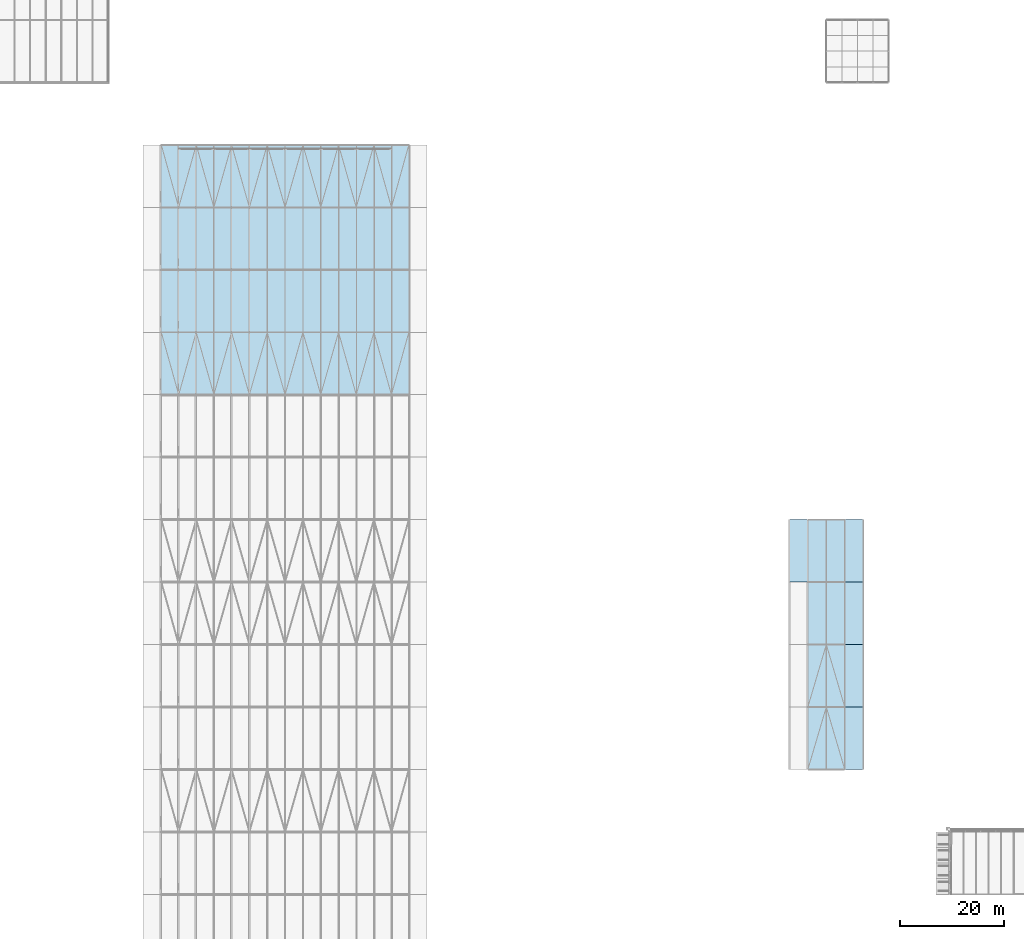
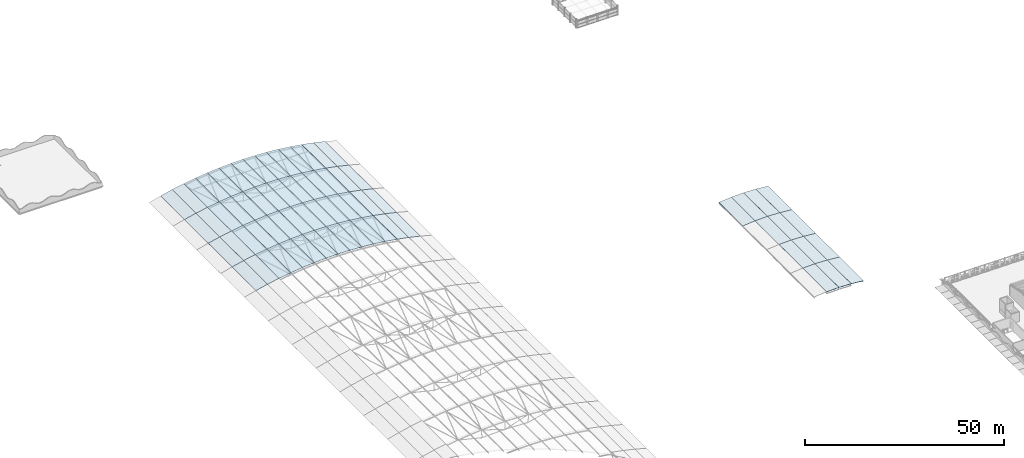
# One storey, part 52 of 91: 69 slabs.
"""IFC4 building model written with IfcOpenShell, lengths in metres."""

from ifc_helpers import new_model, si_unit, direction, frame, origin, place, context, subcontext, project, spatial, polyline, outline, extrude, material, layer, layer_set, type_object, element, save


model = new_model("IFC4")

# Units and contexts
model_context = context("Model", 3, precision=1e-05, world=origin(), true_north=direction((0.0, 1.0)))
body_context = subcontext(model_context, "Body", "Model", "MODEL_VIEW")
ifc_project = project(units=[si_unit("LENGTHUNIT", "METRE"), si_unit("AREAUNIT", "SQUARE_METRE"), si_unit("VOLUMEUNIT", "CUBIC_METRE"), si_unit("PLANEANGLEUNIT", "RADIAN"), si_unit("MASSUNIT", "GRAM", prefix="KILO")], contexts=[model_context])

# Site, building, storey
site_placement = place(None, origin())
site = spatial("IfcSite", under=ifc_project, at=site_placement, CompositionType="ELEMENT")
building_placement = place(site_placement, origin())
building = spatial("IfcBuilding", under=site, at=building_placement, Name="Ravi Spectrum Wholesale Market", CompositionType="ELEMENT")
storey_placement = place(building_placement, frame((0.0, 0.0, 16.199951171875)))
storey = spatial("IfcBuildingStorey", under=building, at=storey_placement, Name="ROOF PLANT LEVEL", CompositionType="ELEMENT", Elevation=16.199951171875)

# Slabs
ifc_material = material(Name="Steel S355", Category="steel")
ifc_layer = layer(ifc_material, 0.1201171875)
ifc_layer_set = layer_set([ifc_layer], Name="Steel S355")
slab_type = type_object("IfcSlabType", Name="Roof panel 120", PredefinedType="ROOF", material=ifc_layer_set)
slab_1_placement = place(storey_placement, frame((46.07958984375, 150.0, 0.691162109375), z_axis=(-0.222349705354, 0.0, 0.974966978174), x_axis=(0.974966978174, 0.0, 0.222349705354)))
element("IfcSlab", 1, at=slab_1_placement, inside=storey, type_object=slab_type, Name="H1-SL-ROOF-141", PredefinedType="ROOF", context=body_context, shape_type="SweptSolid", body=[
    extrude(outline(polyline([(0.0, 0.0), (3.4466311554413664, 0.0), (3.4466311554413664, 12.0), (0.0, 12.0), (0.0, 0.0)])), origin(), (0.0, 0.0, -1.0), 0.1201171875),
])
slab_2_placement = place(storey_placement, frame((49.44384765625, 150.0, 1.458251953125), z_axis=(-0.188631955583, 0.0, 0.982047852873), x_axis=(0.982047852873, 0.0, 0.188631955583)))
element("IfcSlab", 2, at=slab_2_placement, inside=storey, type_object=slab_type, Name="H1-SL-ROOF-142", PredefinedType="ROOF", context=body_context, shape_type="SweptSolid", body=[
    extrude(outline(polyline([(0.0, 0.0), (3.4466402172734556, 0.0), (3.4466402172734556, 12.0), (0.0, 12.0), (0.0, 0.0)])), origin(), (0.0, 0.0, -1.0), 0.1201171875),
])
slab_3_placement = place(storey_placement, frame((52.832763671875, 150.0, 2.109130859375), z_axis=(-0.154627524057, 0.0, 0.98797283809), x_axis=(0.98797283809, 0.0, 0.154627524057)))
element("IfcSlab", 3, at=slab_3_placement, inside=storey, type_object=slab_type, Name="H1-SL-ROOF-143", PredefinedType="ROOF", context=body_context, shape_type="SweptSolid", body=[
    extrude(outline(polyline([(0.0, 0.0), (3.4467277906978815, 0.0), (3.4467277906978815, 12.0), (0.0, 12.0), (0.0, 0.0)])), origin(), (0.0, 0.0, -1.0), 0.1201171875),
])
slab_4_placement = place(storey_placement, frame((56.241943359375, 150.0, 2.642578125), z_axis=(-0.120485786945, 0.0, 0.992715052341), x_axis=(0.992715052341, 0.0, 0.120485786945)))
element("IfcSlab", 4, at=slab_4_placement, inside=storey, type_object=slab_type, Name="H1-SL-ROOF-144", PredefinedType="ROOF", context=body_context, shape_type="SweptSolid", body=[
    extrude(outline(polyline([(0.0, 0.0), (3.446740181189331, 0.0), (3.446740181189331, 12.0), (0.0, 12.0), (0.0, 0.0)])), origin(), (0.0, 0.0, -1.0), 0.1201171875),
])
slab_5_placement = place(storey_placement, frame((59.667724609375, 150.0, 3.05810546875), z_axis=(-0.086134430501, 0.0, 0.996283523844), x_axis=(0.996283523844, 0.0, 0.086134430501)))
element("IfcSlab", 5, at=slab_5_placement, inside=storey, type_object=slab_type, Name="H1-SL-ROOF-145", PredefinedType="ROOF", context=body_context, shape_type="SweptSolid", body=[
    extrude(outline(polyline([(0.0, 0.0), (3.4466472730346154, 0.0), (3.4466472730346154, 12.000000000000004), (0.0, 12.000000000000004), (0.0, 0.0)])), origin(), (0.0, 0.0, -1.0), 0.1201171875),
])
slab_6_placement = place(storey_placement, frame((63.105712890625, 150.0, 3.35546875), z_axis=(-0.051711116626, 0.0, 0.998662085201), x_axis=(0.998662085201, 0.0, 0.051711116626)))
element("IfcSlab", 6, at=slab_6_placement, inside=storey, type_object=slab_type, Name="H1-SL-ROOF-146", PredefinedType="ROOF", context=body_context, shape_type="SweptSolid", body=[
    extrude(outline(polyline([(0.0, 0.0), (3.446505662181547, 0.0), (3.446505662181547, 12.0), (0.0, 12.0), (0.0, 0.0)])), origin(), (0.0, 0.0, -1.0), 0.1201171875),
])
for number, where, z_axis, x_axis, name in (
    (7, (66.5517578125, 150.0, 3.53369140625), (-0.017282768249, 0.0, 0.999850641807), (0.999850641807, 0.0, 0.017282768249), "H1-SL-ROOF-147"),
    (8, (70.001953125, 150.0, 3.59326171875), (0.017282768249, 0.0, 0.999850641807), (0.999850641807, 0.0, -0.017282768249), "H1-SL-ROOF-148"),
):
    element("IfcSlab", number, at=place(storey_placement, frame(where, z_axis=z_axis, x_axis=x_axis)), inside=storey, type_object=slab_type, Name=name, PredefinedType="ROOF", context=body_context, shape_type="SweptSolid", body=[
        extrude(outline(polyline([(0.0, 0.0), (3.446803870898151, 0.0), (3.446803870898151, 12.0), (0.0, 12.0), (0.0, 0.0)])), origin(), (0.0, 0.0, -1.0), 0.1201171875),
    ])
slab_7_placement = place(storey_placement, frame((73.452392578125, 150.0, 3.53369140625), z_axis=(0.051711116626, 0.0, 0.998662085201), x_axis=(0.998662085201, 0.0, -0.051711116626)))
element("IfcSlab", 9, at=slab_7_placement, inside=storey, type_object=slab_type, Name="H1-SL-ROOF-149", PredefinedType="ROOF", context=body_context, shape_type="SweptSolid", body=[
    extrude(outline(polyline([(0.0, 0.0), (3.446505662181547, 0.0), (3.446505662181547, 12.0), (0.0, 12.0), (0.0, 0.0)])), origin(), (0.0, 0.0, -1.0), 0.1201171875),
])
slab_8_placement = place(storey_placement, frame((76.8984375, 150.0, 3.35498046875), z_axis=(0.086134430501, 0.0, 0.996283523844), x_axis=(0.996283523844, 0.0, -0.086134430501)))
element("IfcSlab", 10, at=slab_8_placement, inside=storey, type_object=slab_type, Name="H1-SL-ROOF-150", PredefinedType="ROOF", context=body_context, shape_type="SweptSolid", body=[
    extrude(outline(polyline([(0.0, 0.0), (3.4466472730346154, 0.0), (3.4466472730346154, 12.000000000000004), (0.0, 12.000000000000004), (0.0, 0.0)])), origin(), (0.0, 0.0, -1.0), 0.1201171875),
])
slab_9_placement = place(storey_placement, frame((80.33642578125, 150.0, 3.057861328125), z_axis=(0.120485786945, 0.0, 0.992715052341), x_axis=(0.992715052341, 0.0, -0.120485786945)))
element("IfcSlab", 11, at=slab_9_placement, inside=storey, type_object=slab_type, Name="H1-SL-ROOF-151", PredefinedType="ROOF", context=body_context, shape_type="SweptSolid", body=[
    extrude(outline(polyline([(0.0, 0.0), (3.446740181189331, 0.0), (3.446740181189331, 12.0), (0.0, 12.0), (0.0, 0.0)])), origin(), (0.0, 0.0, -1.0), 0.1201171875),
])
slab_10_placement = place(storey_placement, frame((83.761962890625, 150.0, 2.64208984375), z_axis=(0.154627524057, 0.0, 0.98797283809), x_axis=(0.98797283809, 0.0, -0.154627524057)))
element("IfcSlab", 12, at=slab_10_placement, inside=storey, type_object=slab_type, Name="H1-SL-ROOF-152", PredefinedType="ROOF", context=body_context, shape_type="SweptSolid", body=[
    extrude(outline(polyline([(0.0, 0.0), (3.4467277906978815, 0.0), (3.4467277906978815, 12.0), (0.0, 12.0), (0.0, 0.0)])), origin(), (0.0, 0.0, -1.0), 0.1201171875),
])
slab_11_placement = place(storey_placement, frame((87.17138671875, 150.0, 2.1083984375), z_axis=(0.188631955583, 0.0, 0.982047852873), x_axis=(0.982047852873, 0.0, -0.188631955583)))
element("IfcSlab", 13, at=slab_11_placement, inside=storey, type_object=slab_type, Name="H1-SL-ROOF-153", PredefinedType="ROOF", context=body_context, shape_type="SweptSolid", body=[
    extrude(outline(polyline([(0.0, 0.0), (3.4466402172734556, 0.0), (3.4466402172734556, 12.0), (0.0, 12.0), (0.0, 0.0)])), origin(), (0.0, 0.0, -1.0), 0.1201171875),
])
for number, where, z_axis, x_axis, name in (
    (14, (90.56005859375, 150.0, 1.45751953125), (0.222349705354, 0.0, 0.974966978174), (0.974966978174, 0.0, -0.222349705354), "H1-SL-ROOF-154"),
    (15, (46.07958984375, 162.0, 0.691162109375), (-0.222349705354, 0.0, 0.974966978174), (0.974966978174, 0.0, 0.222349705354), "H1-SL-ROOF-155"),
):
    element("IfcSlab", number, at=place(storey_placement, frame(where, z_axis=z_axis, x_axis=x_axis)), inside=storey, type_object=slab_type, Name=name, PredefinedType="ROOF", context=body_context, shape_type="SweptSolid", body=[
        extrude(outline(polyline([(0.0, 0.0), (3.4466311554413664, 0.0), (3.4466311554413664, 12.0), (0.0, 12.0), (0.0, 0.0)])), origin(), (0.0, 0.0, -1.0), 0.1201171875),
    ])
slab_12_placement = place(storey_placement, frame((49.44384765625, 162.0, 1.458251953125), z_axis=(-0.188631955583, 0.0, 0.982047852873), x_axis=(0.982047852873, 0.0, 0.188631955583)))
element("IfcSlab", 16, at=slab_12_placement, inside=storey, type_object=slab_type, Name="H1-SL-ROOF-156", PredefinedType="ROOF", context=body_context, shape_type="SweptSolid", body=[
    extrude(outline(polyline([(0.0, 0.0), (3.4466402172734556, 0.0), (3.4466402172734556, 12.0), (0.0, 12.0), (0.0, 0.0)])), origin(), (0.0, 0.0, -1.0), 0.1201171875),
])
slab_13_placement = place(storey_placement, frame((52.832763671875, 162.0, 2.109130859375), z_axis=(-0.154627524057, 0.0, 0.98797283809), x_axis=(0.98797283809, 0.0, 0.154627524057)))
element("IfcSlab", 17, at=slab_13_placement, inside=storey, type_object=slab_type, Name="H1-SL-ROOF-157", PredefinedType="ROOF", context=body_context, shape_type="SweptSolid", body=[
    extrude(outline(polyline([(0.0, 0.0), (3.4467277906978815, 0.0), (3.4467277906978815, 12.0), (0.0, 12.0), (0.0, 0.0)])), origin(), (0.0, 0.0, -1.0), 0.1201171875),
])
slab_14_placement = place(storey_placement, frame((56.241943359375, 162.0, 2.642578125), z_axis=(-0.120485786945, 0.0, 0.992715052341), x_axis=(0.992715052341, 0.0, 0.120485786945)))
element("IfcSlab", 18, at=slab_14_placement, inside=storey, type_object=slab_type, Name="H1-SL-ROOF-158", PredefinedType="ROOF", context=body_context, shape_type="SweptSolid", body=[
    extrude(outline(polyline([(0.0, 0.0), (3.446740181189331, 0.0), (3.446740181189331, 12.0), (0.0, 12.0), (0.0, 0.0)])), origin(), (0.0, 0.0, -1.0), 0.1201171875),
])
slab_15_placement = place(storey_placement, frame((59.667724609375, 162.0, 3.05810546875), z_axis=(-0.086134430501, 0.0, 0.996283523844), x_axis=(0.996283523844, 0.0, 0.086134430501)))
element("IfcSlab", 19, at=slab_15_placement, inside=storey, type_object=slab_type, Name="H1-SL-ROOF-159", PredefinedType="ROOF", context=body_context, shape_type="SweptSolid", body=[
    extrude(outline(polyline([(0.0, 0.0), (3.4466472730346154, 0.0), (3.4466472730346154, 12.000000000000004), (0.0, 12.000000000000004), (0.0, 0.0)])), origin(), (0.0, 0.0, -1.0), 0.1201171875),
])
slab_16_placement = place(storey_placement, frame((63.105712890625, 162.0, 3.35546875), z_axis=(-0.051711116626, 0.0, 0.998662085201), x_axis=(0.998662085201, 0.0, 0.051711116626)))
element("IfcSlab", 20, at=slab_16_placement, inside=storey, type_object=slab_type, Name="H1-SL-ROOF-160", PredefinedType="ROOF", context=body_context, shape_type="SweptSolid", body=[
    extrude(outline(polyline([(0.0, 0.0), (3.446505662181547, 0.0), (3.446505662181547, 12.0), (0.0, 12.0), (0.0, 0.0)])), origin(), (0.0, 0.0, -1.0), 0.1201171875),
])
for number, where, z_axis, x_axis, name in (
    (21, (66.5517578125, 162.0, 3.53369140625), (-0.017282768249, 0.0, 0.999850641807), (0.999850641807, 0.0, 0.017282768249), "H1-SL-ROOF-161"),
    (22, (70.001953125, 162.0, 3.59326171875), (0.017282768249, 0.0, 0.999850641807), (0.999850641807, 0.0, -0.017282768249), "H1-SL-ROOF-162"),
):
    element("IfcSlab", number, at=place(storey_placement, frame(where, z_axis=z_axis, x_axis=x_axis)), inside=storey, type_object=slab_type, Name=name, PredefinedType="ROOF", context=body_context, shape_type="SweptSolid", body=[
        extrude(outline(polyline([(0.0, 0.0), (3.446803870898151, 0.0), (3.446803870898151, 12.0), (0.0, 12.0), (0.0, 0.0)])), origin(), (0.0, 0.0, -1.0), 0.1201171875),
    ])
slab_17_placement = place(storey_placement, frame((73.452392578125, 162.0, 3.53369140625), z_axis=(0.051711116626, 0.0, 0.998662085201), x_axis=(0.998662085201, 0.0, -0.051711116626)))
element("IfcSlab", 23, at=slab_17_placement, inside=storey, type_object=slab_type, Name="H1-SL-ROOF-163", PredefinedType="ROOF", context=body_context, shape_type="SweptSolid", body=[
    extrude(outline(polyline([(0.0, 0.0), (3.446505662181547, 0.0), (3.446505662181547, 12.0), (0.0, 12.0), (0.0, 0.0)])), origin(), (0.0, 0.0, -1.0), 0.1201171875),
])
slab_18_placement = place(storey_placement, frame((76.8984375, 162.0, 3.35498046875), z_axis=(0.086134430501, 0.0, 0.996283523844), x_axis=(0.996283523844, 0.0, -0.086134430501)))
element("IfcSlab", 24, at=slab_18_placement, inside=storey, type_object=slab_type, Name="H1-SL-ROOF-164", PredefinedType="ROOF", context=body_context, shape_type="SweptSolid", body=[
    extrude(outline(polyline([(0.0, 0.0), (3.4466472730346154, 0.0), (3.4466472730346154, 12.000000000000004), (0.0, 12.000000000000004), (0.0, 0.0)])), origin(), (0.0, 0.0, -1.0), 0.1201171875),
])
slab_19_placement = place(storey_placement, frame((80.33642578125, 162.0, 3.057861328125), z_axis=(0.120485786945, 0.0, 0.992715052341), x_axis=(0.992715052341, 0.0, -0.120485786945)))
element("IfcSlab", 25, at=slab_19_placement, inside=storey, type_object=slab_type, Name="H1-SL-ROOF-165", PredefinedType="ROOF", context=body_context, shape_type="SweptSolid", body=[
    extrude(outline(polyline([(0.0, 0.0), (3.446740181189331, 0.0), (3.446740181189331, 12.0), (0.0, 12.0), (0.0, 0.0)])), origin(), (0.0, 0.0, -1.0), 0.1201171875),
])
slab_20_placement = place(storey_placement, frame((83.761962890625, 162.0, 2.64208984375), z_axis=(0.154627524057, 0.0, 0.98797283809), x_axis=(0.98797283809, 0.0, -0.154627524057)))
element("IfcSlab", 26, at=slab_20_placement, inside=storey, type_object=slab_type, Name="H1-SL-ROOF-166", PredefinedType="ROOF", context=body_context, shape_type="SweptSolid", body=[
    extrude(outline(polyline([(0.0, 0.0), (3.4467277906978815, 0.0), (3.4467277906978815, 12.0), (0.0, 12.0), (0.0, 0.0)])), origin(), (0.0, 0.0, -1.0), 0.1201171875),
])
slab_21_placement = place(storey_placement, frame((87.17138671875, 162.0, 2.1083984375), z_axis=(0.188631955583, 0.0, 0.982047852873), x_axis=(0.982047852873, 0.0, -0.188631955583)))
element("IfcSlab", 27, at=slab_21_placement, inside=storey, type_object=slab_type, Name="H1-SL-ROOF-167", PredefinedType="ROOF", context=body_context, shape_type="SweptSolid", body=[
    extrude(outline(polyline([(0.0, 0.0), (3.4466402172734556, 0.0), (3.4466402172734556, 12.0), (0.0, 12.0), (0.0, 0.0)])), origin(), (0.0, 0.0, -1.0), 0.1201171875),
])
for number, where, z_axis, x_axis, name in (
    (28, (90.56005859375, 162.0, 1.45751953125), (0.222349705354, 0.0, 0.974966978174), (0.974966978174, 0.0, -0.222349705354), "H1-SL-ROOF-168"),
    (29, (46.07958984375, 174.0, 0.691162109375), (-0.222349705354, 0.0, 0.974966978174), (0.974966978174, 0.0, 0.222349705354), "H1-SL-ROOF-169"),
):
    element("IfcSlab", number, at=place(storey_placement, frame(where, z_axis=z_axis, x_axis=x_axis)), inside=storey, type_object=slab_type, Name=name, PredefinedType="ROOF", context=body_context, shape_type="SweptSolid", body=[
        extrude(outline(polyline([(0.0, 0.0), (3.4466311554413664, 0.0), (3.4466311554413664, 12.0), (0.0, 12.0), (0.0, 0.0)])), origin(), (0.0, 0.0, -1.0), 0.1201171875),
    ])
slab_22_placement = place(storey_placement, frame((49.44384765625, 174.0, 1.458251953125), z_axis=(-0.188631955583, 0.0, 0.982047852873), x_axis=(0.982047852873, 0.0, 0.188631955583)))
element("IfcSlab", 30, at=slab_22_placement, inside=storey, type_object=slab_type, Name="H1-SL-ROOF-170", PredefinedType="ROOF", context=body_context, shape_type="SweptSolid", body=[
    extrude(outline(polyline([(0.0, 0.0), (3.4466402172734556, 0.0), (3.4466402172734556, 12.0), (0.0, 12.0), (0.0, 0.0)])), origin(), (0.0, 0.0, -1.0), 0.1201171875),
])
slab_23_placement = place(storey_placement, frame((52.832763671875, 174.0, 2.109130859375), z_axis=(-0.154627524057, 0.0, 0.98797283809), x_axis=(0.98797283809, 0.0, 0.154627524057)))
element("IfcSlab", 31, at=slab_23_placement, inside=storey, type_object=slab_type, Name="H1-SL-ROOF-171", PredefinedType="ROOF", context=body_context, shape_type="SweptSolid", body=[
    extrude(outline(polyline([(0.0, 0.0), (3.4467277906978815, 0.0), (3.4467277906978815, 12.0), (0.0, 12.0), (0.0, 0.0)])), origin(), (0.0, 0.0, -1.0), 0.1201171875),
])
slab_24_placement = place(storey_placement, frame((56.241943359375, 174.0, 2.642578125), z_axis=(-0.120485786945, 0.0, 0.992715052341), x_axis=(0.992715052341, 0.0, 0.120485786945)))
element("IfcSlab", 32, at=slab_24_placement, inside=storey, type_object=slab_type, Name="H1-SL-ROOF-172", PredefinedType="ROOF", context=body_context, shape_type="SweptSolid", body=[
    extrude(outline(polyline([(0.0, 0.0), (3.446740181189331, 0.0), (3.446740181189331, 12.0), (0.0, 12.0), (0.0, 0.0)])), origin(), (0.0, 0.0, -1.0), 0.1201171875),
])
slab_25_placement = place(storey_placement, frame((59.667724609375, 174.0, 3.05810546875), z_axis=(-0.086134430501, 0.0, 0.996283523844), x_axis=(0.996283523844, 0.0, 0.086134430501)))
element("IfcSlab", 33, at=slab_25_placement, inside=storey, type_object=slab_type, Name="H1-SL-ROOF-173", PredefinedType="ROOF", context=body_context, shape_type="SweptSolid", body=[
    extrude(outline(polyline([(0.0, 0.0), (3.4466472730346154, 0.0), (3.4466472730346154, 12.000000000000004), (0.0, 12.000000000000004), (0.0, 0.0)])), origin(), (0.0, 0.0, -1.0), 0.1201171875),
])
slab_26_placement = place(storey_placement, frame((63.105712890625, 174.0, 3.35546875), z_axis=(-0.051711116626, 0.0, 0.998662085201), x_axis=(0.998662085201, 0.0, 0.051711116626)))
element("IfcSlab", 34, at=slab_26_placement, inside=storey, type_object=slab_type, Name="H1-SL-ROOF-174", PredefinedType="ROOF", context=body_context, shape_type="SweptSolid", body=[
    extrude(outline(polyline([(0.0, 0.0), (3.446505662181547, 0.0), (3.446505662181547, 12.0), (0.0, 12.0), (0.0, 0.0)])), origin(), (0.0, 0.0, -1.0), 0.1201171875),
])
for number, where, z_axis, x_axis, name in (
    (35, (66.5517578125, 174.0, 3.53369140625), (-0.017282768249, 0.0, 0.999850641807), (0.999850641807, 0.0, 0.017282768249), "H1-SL-ROOF-175"),
    (36, (70.001953125, 174.0, 3.59326171875), (0.017282768249, 0.0, 0.999850641807), (0.999850641807, 0.0, -0.017282768249), "H1-SL-ROOF-176"),
):
    element("IfcSlab", number, at=place(storey_placement, frame(where, z_axis=z_axis, x_axis=x_axis)), inside=storey, type_object=slab_type, Name=name, PredefinedType="ROOF", context=body_context, shape_type="SweptSolid", body=[
        extrude(outline(polyline([(0.0, 0.0), (3.446803870898151, 0.0), (3.446803870898151, 12.0), (0.0, 12.0), (0.0, 0.0)])), origin(), (0.0, 0.0, -1.0), 0.1201171875),
    ])
slab_27_placement = place(storey_placement, frame((73.452392578125, 174.0, 3.53369140625), z_axis=(0.051711116626, 0.0, 0.998662085201), x_axis=(0.998662085201, 0.0, -0.051711116626)))
element("IfcSlab", 37, at=slab_27_placement, inside=storey, type_object=slab_type, Name="H1-SL-ROOF-177", PredefinedType="ROOF", context=body_context, shape_type="SweptSolid", body=[
    extrude(outline(polyline([(0.0, 0.0), (3.446505662181547, 0.0), (3.446505662181547, 12.0), (0.0, 12.0), (0.0, 0.0)])), origin(), (0.0, 0.0, -1.0), 0.1201171875),
])
slab_28_placement = place(storey_placement, frame((76.8984375, 174.0, 3.35498046875), z_axis=(0.086134430501, 0.0, 0.996283523844), x_axis=(0.996283523844, 0.0, -0.086134430501)))
element("IfcSlab", 38, at=slab_28_placement, inside=storey, type_object=slab_type, Name="H1-SL-ROOF-178", PredefinedType="ROOF", context=body_context, shape_type="SweptSolid", body=[
    extrude(outline(polyline([(0.0, 0.0), (3.4466472730346154, 0.0), (3.4466472730346154, 12.000000000000004), (0.0, 12.000000000000004), (0.0, 0.0)])), origin(), (0.0, 0.0, -1.0), 0.1201171875),
])
slab_29_placement = place(storey_placement, frame((80.33642578125, 174.0, 3.057861328125), z_axis=(0.120485786945, 0.0, 0.992715052341), x_axis=(0.992715052341, 0.0, -0.120485786945)))
element("IfcSlab", 39, at=slab_29_placement, inside=storey, type_object=slab_type, Name="H1-SL-ROOF-179", PredefinedType="ROOF", context=body_context, shape_type="SweptSolid", body=[
    extrude(outline(polyline([(0.0, 0.0), (3.446740181189331, 0.0), (3.446740181189331, 12.0), (0.0, 12.0), (0.0, 0.0)])), origin(), (0.0, 0.0, -1.0), 0.1201171875),
])
slab_30_placement = place(storey_placement, frame((83.761962890625, 174.0, 2.64208984375), z_axis=(0.154627524057, 0.0, 0.98797283809), x_axis=(0.98797283809, 0.0, -0.154627524057)))
element("IfcSlab", 40, at=slab_30_placement, inside=storey, type_object=slab_type, Name="H1-SL-ROOF-180", PredefinedType="ROOF", context=body_context, shape_type="SweptSolid", body=[
    extrude(outline(polyline([(0.0, 0.0), (3.4467277906978815, 0.0), (3.4467277906978815, 12.0), (0.0, 12.0), (0.0, 0.0)])), origin(), (0.0, 0.0, -1.0), 0.1201171875),
])
slab_31_placement = place(storey_placement, frame((87.17138671875, 174.0, 2.1083984375), z_axis=(0.188631955583, 0.0, 0.982047852873), x_axis=(0.982047852873, 0.0, -0.188631955583)))
element("IfcSlab", 41, at=slab_31_placement, inside=storey, type_object=slab_type, Name="H1-SL-ROOF-181", PredefinedType="ROOF", context=body_context, shape_type="SweptSolid", body=[
    extrude(outline(polyline([(0.0, 0.0), (3.4466402172734556, 0.0), (3.4466402172734556, 12.0), (0.0, 12.0), (0.0, 0.0)])), origin(), (0.0, 0.0, -1.0), 0.1201171875),
])
for number, where, z_axis, x_axis, name in (
    (42, (90.56005859375, 174.0, 1.45751953125), (0.222349705354, 0.0, 0.974966978174), (0.974966978174, 0.0, -0.222349705354), "H1-SL-ROOF-182"),
    (43, (46.07958984375, 186.0, 0.691162109375), (-0.222349705354, 0.0, 0.974966978174), (0.974966978174, 0.0, 0.222349705354), "H1-SL-ROOF-183"),
):
    element("IfcSlab", number, at=place(storey_placement, frame(where, z_axis=z_axis, x_axis=x_axis)), inside=storey, type_object=slab_type, Name=name, PredefinedType="ROOF", context=body_context, shape_type="SweptSolid", body=[
        extrude(outline(polyline([(0.0, 0.0), (3.4466311554413664, 0.0), (3.4466311554413664, 12.0), (0.0, 12.0), (0.0, 0.0)])), origin(), (0.0, 0.0, -1.0), 0.1201171875),
    ])
slab_32_placement = place(storey_placement, frame((49.44384765625, 186.0, 1.458251953125), z_axis=(-0.188631955583, 0.0, 0.982047852873), x_axis=(0.982047852873, 0.0, 0.188631955583)))
element("IfcSlab", 44, at=slab_32_placement, inside=storey, type_object=slab_type, Name="H1-SL-ROOF-184", PredefinedType="ROOF", context=body_context, shape_type="SweptSolid", body=[
    extrude(outline(polyline([(0.0, 0.0), (3.4466402172734556, 0.0), (3.4466402172734556, 12.0), (0.0, 12.0), (0.0, 0.0)])), origin(), (0.0, 0.0, -1.0), 0.1201171875),
])
slab_33_placement = place(storey_placement, frame((52.832763671875, 186.0, 2.109130859375), z_axis=(-0.154627524057, 0.0, 0.98797283809), x_axis=(0.98797283809, 0.0, 0.154627524057)))
element("IfcSlab", 45, at=slab_33_placement, inside=storey, type_object=slab_type, Name="H1-SL-ROOF-185", PredefinedType="ROOF", context=body_context, shape_type="SweptSolid", body=[
    extrude(outline(polyline([(0.0, 0.0), (3.4467277906978815, 0.0), (3.4467277906978815, 12.0), (0.0, 12.0), (0.0, 0.0)])), origin(), (0.0, 0.0, -1.0), 0.1201171875),
])
slab_34_placement = place(storey_placement, frame((56.241943359375, 186.0, 2.642578125), z_axis=(-0.120485786945, 0.0, 0.992715052341), x_axis=(0.992715052341, 0.0, 0.120485786945)))
element("IfcSlab", 46, at=slab_34_placement, inside=storey, type_object=slab_type, Name="H1-SL-ROOF-186", PredefinedType="ROOF", context=body_context, shape_type="SweptSolid", body=[
    extrude(outline(polyline([(0.0, 0.0), (3.446740181189331, 0.0), (3.446740181189331, 12.0), (0.0, 12.0), (0.0, 0.0)])), origin(), (0.0, 0.0, -1.0), 0.1201171875),
])
slab_35_placement = place(storey_placement, frame((59.667724609375, 186.0, 3.05810546875), z_axis=(-0.086134430501, 0.0, 0.996283523844), x_axis=(0.996283523844, 0.0, 0.086134430501)))
element("IfcSlab", 47, at=slab_35_placement, inside=storey, type_object=slab_type, Name="H1-SL-ROOF-187", PredefinedType="ROOF", context=body_context, shape_type="SweptSolid", body=[
    extrude(outline(polyline([(0.0, 0.0), (3.4466472730346154, 0.0), (3.4466472730346154, 12.000000000000004), (0.0, 12.000000000000004), (0.0, 0.0)])), origin(), (0.0, 0.0, -1.0), 0.1201171875),
])
slab_36_placement = place(storey_placement, frame((63.105712890625, 186.0, 3.35546875), z_axis=(-0.051711116626, 0.0, 0.998662085201), x_axis=(0.998662085201, 0.0, 0.051711116626)))
element("IfcSlab", 48, at=slab_36_placement, inside=storey, type_object=slab_type, Name="H1-SL-ROOF-188", PredefinedType="ROOF", context=body_context, shape_type="SweptSolid", body=[
    extrude(outline(polyline([(0.0, 0.0), (3.446505662181547, 0.0), (3.446505662181547, 12.0), (0.0, 12.0), (0.0, 0.0)])), origin(), (0.0, 0.0, -1.0), 0.1201171875),
])
for number, where, z_axis, x_axis, name in (
    (49, (66.5517578125, 186.0, 3.53369140625), (-0.017282768249, 0.0, 0.999850641807), (0.999850641807, 0.0, 0.017282768249), "H1-SL-ROOF-189"),
    (50, (70.001953125, 186.0, 3.59326171875), (0.017282768249, 0.0, 0.999850641807), (0.999850641807, 0.0, -0.017282768249), "H1-SL-ROOF-190"),
):
    element("IfcSlab", number, at=place(storey_placement, frame(where, z_axis=z_axis, x_axis=x_axis)), inside=storey, type_object=slab_type, Name=name, PredefinedType="ROOF", context=body_context, shape_type="SweptSolid", body=[
        extrude(outline(polyline([(0.0, 0.0), (3.446803870898151, 0.0), (3.446803870898151, 12.0), (0.0, 12.0), (0.0, 0.0)])), origin(), (0.0, 0.0, -1.0), 0.1201171875),
    ])
slab_37_placement = place(storey_placement, frame((73.452392578125, 186.0, 3.53369140625), z_axis=(0.051711116626, 0.0, 0.998662085201), x_axis=(0.998662085201, 0.0, -0.051711116626)))
element("IfcSlab", 51, at=slab_37_placement, inside=storey, type_object=slab_type, Name="H1-SL-ROOF-191", PredefinedType="ROOF", context=body_context, shape_type="SweptSolid", body=[
    extrude(outline(polyline([(0.0, 0.0), (3.446505662181547, 0.0), (3.446505662181547, 12.0), (0.0, 12.0), (0.0, 0.0)])), origin(), (0.0, 0.0, -1.0), 0.1201171875),
])
slab_38_placement = place(storey_placement, frame((76.8984375, 186.0, 3.35498046875), z_axis=(0.086134430501, 0.0, 0.996283523844), x_axis=(0.996283523844, 0.0, -0.086134430501)))
element("IfcSlab", 52, at=slab_38_placement, inside=storey, type_object=slab_type, Name="H1-SL-ROOF-192", PredefinedType="ROOF", context=body_context, shape_type="SweptSolid", body=[
    extrude(outline(polyline([(0.0, 0.0), (3.4466472730346154, 0.0), (3.4466472730346154, 12.000000000000004), (0.0, 12.000000000000004), (0.0, 0.0)])), origin(), (0.0, 0.0, -1.0), 0.1201171875),
])
slab_39_placement = place(storey_placement, frame((80.33642578125, 186.0, 3.057861328125), z_axis=(0.120485786945, 0.0, 0.992715052341), x_axis=(0.992715052341, 0.0, -0.120485786945)))
element("IfcSlab", 53, at=slab_39_placement, inside=storey, type_object=slab_type, Name="H1-SL-ROOF-193", PredefinedType="ROOF", context=body_context, shape_type="SweptSolid", body=[
    extrude(outline(polyline([(0.0, 0.0), (3.446740181189331, 0.0), (3.446740181189331, 12.0), (0.0, 12.0), (0.0, 0.0)])), origin(), (0.0, 0.0, -1.0), 0.1201171875),
])
slab_40_placement = place(storey_placement, frame((83.761962890625, 186.0, 2.64208984375), z_axis=(0.154627524057, 0.0, 0.98797283809), x_axis=(0.98797283809, 0.0, -0.154627524057)))
element("IfcSlab", 54, at=slab_40_placement, inside=storey, type_object=slab_type, Name="H1-SL-ROOF-194", PredefinedType="ROOF", context=body_context, shape_type="SweptSolid", body=[
    extrude(outline(polyline([(0.0, 0.0), (3.4467277906978815, 0.0), (3.4467277906978815, 12.0), (0.0, 12.0), (0.0, 0.0)])), origin(), (0.0, 0.0, -1.0), 0.1201171875),
])
slab_41_placement = place(storey_placement, frame((87.17138671875, 186.0, 2.1083984375), z_axis=(0.188631955583, 0.0, 0.982047852873), x_axis=(0.982047852873, 0.0, -0.188631955583)))
element("IfcSlab", 55, at=slab_41_placement, inside=storey, type_object=slab_type, Name="H1-SL-ROOF-195", PredefinedType="ROOF", context=body_context, shape_type="SweptSolid", body=[
    extrude(outline(polyline([(0.0, 0.0), (3.4466402172734556, 0.0), (3.4466402172734556, 12.0), (0.0, 12.0), (0.0, 0.0)])), origin(), (0.0, 0.0, -1.0), 0.1201171875),
])
slab_42_placement = place(storey_placement, frame((90.56005859375, 186.0, 1.45751953125), z_axis=(0.222349705354, 0.0, 0.974966978174), x_axis=(0.974966978174, 0.0, -0.222349705354)))
element("IfcSlab", 56, at=slab_42_placement, inside=storey, type_object=slab_type, Name="H1-SL-ROOF-196", PredefinedType="ROOF", context=body_context, shape_type="SweptSolid", body=[
    extrude(outline(polyline([(0.0, 0.0), (3.4466311554413664, 0.0), (3.4466311554413664, 12.0), (0.0, 12.0), (0.0, 0.0)])), origin(), (0.0, 0.0, -1.0), 0.1201171875),
])
for number, where, z_axis, x_axis, name in (
    (57, (170.42822265625, 78.0, 0.439208984375), (-0.031597735603, 0.0, 0.999500666886), (0.999500666886, 0.0, 0.031597735603), "H2-SL-ROOF-002"),
    (58, (174.00390625, 78.0, 0.552001953125), (0.031597735603, 0.0, 0.999500666886), (0.999500666886, 0.0, -0.031597735603), "H2-SL-ROOF-003"),
):
    element("IfcSlab", number, at=place(storey_placement, frame(where, z_axis=z_axis, x_axis=x_axis)), inside=storey, type_object=slab_type, Name=name, PredefinedType="ROOF", context=body_context, shape_type="SweptSolid", body=[
        extrude(outline(polyline([(0.0, 0.0), (3.5696535399694267, 0.0), (3.5696535399694267, 12.0), (0.0, 12.0), (0.0, 0.0)])), origin(), (0.0, 0.0, -1.0), 0.1201171875),
    ])
slab_43_placement = place(storey_placement, frame((177.579345703125, 78.0, 0.438720703125), z_axis=(0.094715502397, 0.0, 0.99550438151), x_axis=(0.99550438151, 0.0, -0.094715502397)))
element("IfcSlab", 59, at=slab_43_placement, inside=storey, type_object=slab_type, Name="H2-SL-ROOF-004", PredefinedType="ROOF", context=body_context, shape_type="SweptSolid", body=[
    extrude(outline(polyline([(0.0, 0.0), (3.5700044561673514, 0.0), (3.5700044561673514, 11.999999999999998), (0.0, 11.999999999999998), (0.0, 0.0)])), origin(), (0.0, 0.0, -1.0), 0.1201171875),
])
for number, where, z_axis, x_axis, name in (
    (60, (170.42822265625, 90.0, 0.439208984375), (-0.031597735603, 0.0, 0.999500666886), (0.999500666886, 0.0, 0.031597735603), "H2-SL-ROOF-006"),
    (61, (174.00390625, 90.0, 0.552001953125), (0.031597735603, 0.0, 0.999500666886), (0.999500666886, 0.0, -0.031597735603), "H2-SL-ROOF-007"),
):
    element("IfcSlab", number, at=place(storey_placement, frame(where, z_axis=z_axis, x_axis=x_axis)), inside=storey, type_object=slab_type, Name=name, PredefinedType="ROOF", context=body_context, shape_type="SweptSolid", body=[
        extrude(outline(polyline([(0.0, 0.0), (3.5696535399694267, 0.0), (3.5696535399694267, 12.0), (0.0, 12.0), (0.0, 0.0)])), origin(), (0.0, 0.0, -1.0), 0.1201171875),
    ])
slab_44_placement = place(storey_placement, frame((177.579345703125, 90.0, 0.438720703125), z_axis=(0.094715502397, 0.0, 0.99550438151), x_axis=(0.99550438151, 0.0, -0.094715502397)))
element("IfcSlab", 62, at=slab_44_placement, inside=storey, type_object=slab_type, Name="H2-SL-ROOF-008", PredefinedType="ROOF", context=body_context, shape_type="SweptSolid", body=[
    extrude(outline(polyline([(0.0, 0.0), (3.5700044561673514, 0.0), (3.5700044561673514, 11.999999999999998), (0.0, 11.999999999999998), (0.0, 0.0)])), origin(), (0.0, 0.0, -1.0), 0.1201171875),
])
for number, where, z_axis, x_axis, name in (
    (63, (170.42822265625, 102.0, 0.439208984375), (-0.031597735603, 0.0, 0.999500666886), (0.999500666886, 0.0, 0.031597735603), "H2-SL-ROOF-010"),
    (64, (174.00390625, 102.0, 0.552001953125), (0.031597735603, 0.0, 0.999500666886), (0.999500666886, 0.0, -0.031597735603), "H2-SL-ROOF-011"),
):
    element("IfcSlab", number, at=place(storey_placement, frame(where, z_axis=z_axis, x_axis=x_axis)), inside=storey, type_object=slab_type, Name=name, PredefinedType="ROOF", context=body_context, shape_type="SweptSolid", body=[
        extrude(outline(polyline([(0.0, 0.0), (3.5696535399694267, 0.0), (3.5696535399694267, 12.0), (0.0, 12.0), (0.0, 0.0)])), origin(), (0.0, 0.0, -1.0), 0.1201171875),
    ])
for number, where, z_axis, x_axis, name in (
    (65, (177.579345703125, 102.0, 0.438720703125), (0.094715502397, 0.0, 0.99550438151), (0.99550438151, 0.0, -0.094715502397), "H2-SL-ROOF-012"),
    (66, (166.86669921875, 114.0, 0.1005859375), (-0.094715502397, 0.0, 0.99550438151), (0.99550438151, 0.0, 0.094715502397), "H2-SL-ROOF-013"),
):
    element("IfcSlab", number, at=place(storey_placement, frame(where, z_axis=z_axis, x_axis=x_axis)), inside=storey, type_object=slab_type, Name=name, PredefinedType="ROOF", context=body_context, shape_type="SweptSolid", body=[
        extrude(outline(polyline([(0.0, 0.0), (3.5700044561673514, 0.0), (3.5700044561673514, 11.999999999999998), (0.0, 11.999999999999998), (0.0, 0.0)])), origin(), (0.0, 0.0, -1.0), 0.1201171875),
    ])
for number, where, z_axis, x_axis, name in (
    (67, (170.42822265625, 114.0, 0.439208984375), (-0.031597735603, 0.0, 0.999500666886), (0.999500666886, 0.0, 0.031597735603), "H2-SL-ROOF-014"),
    (68, (174.00390625, 114.0, 0.552001953125), (0.031597735603, 0.0, 0.999500666886), (0.999500666886, 0.0, -0.031597735603), "H2-SL-ROOF-015"),
):
    element("IfcSlab", number, at=place(storey_placement, frame(where, z_axis=z_axis, x_axis=x_axis)), inside=storey, type_object=slab_type, Name=name, PredefinedType="ROOF", context=body_context, shape_type="SweptSolid", body=[
        extrude(outline(polyline([(0.0, 0.0), (3.5696535399694267, 0.0), (3.5696535399694267, 12.0), (0.0, 12.0), (0.0, 0.0)])), origin(), (0.0, 0.0, -1.0), 0.1201171875),
    ])
slab_45_placement = place(storey_placement, frame((177.579345703125, 114.0, 0.438720703125), z_axis=(0.094715502397, 0.0, 0.99550438151), x_axis=(0.99550438151, 0.0, -0.094715502397)))
element("IfcSlab", 69, at=slab_45_placement, inside=storey, type_object=slab_type, Name="H2-SL-ROOF-016", PredefinedType="ROOF", context=body_context, shape_type="SweptSolid", body=[
    extrude(outline(polyline([(0.0, 0.0), (3.5700044561673514, 0.0), (3.5700044561673514, 11.999999999999998), (0.0, 11.999999999999998), (0.0, 0.0)])), origin(), (0.0, 0.0, -1.0), 0.1201171875),
])

save(model, "model.ifc")
